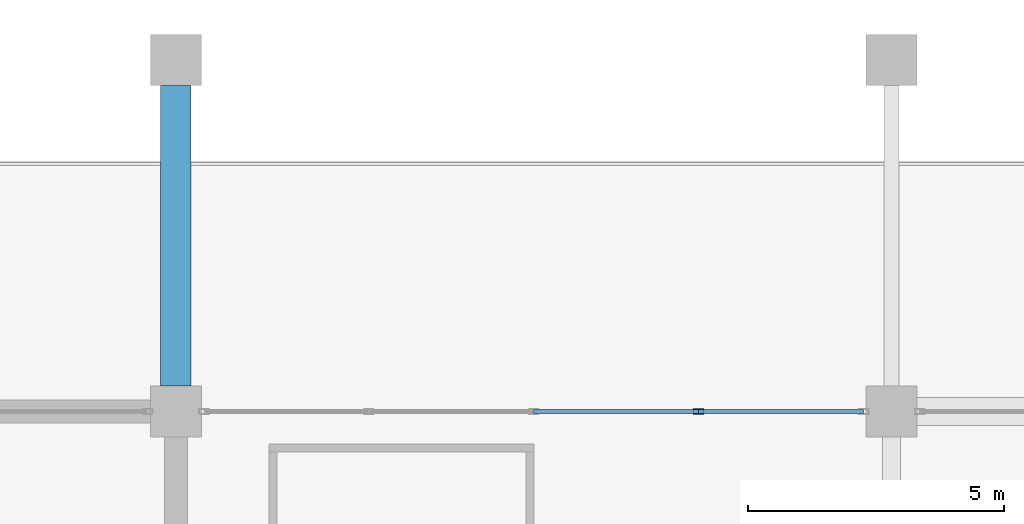
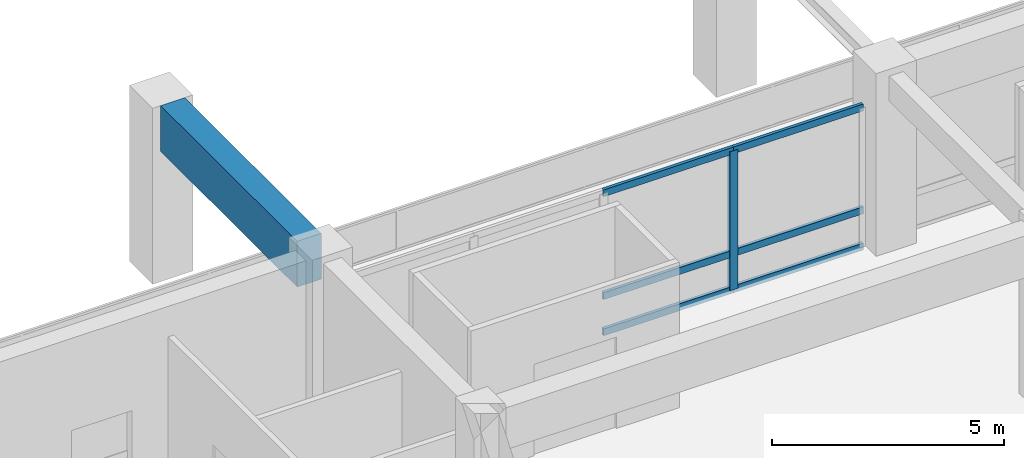
# One storey, part 23 of 91: 7 members, 1 beam, 1 element without a shape of its own.
"""IFC4 building model written with IfcOpenShell, lengths in metres."""

import ifcopenshell
import ifcopenshell.guid

model = None  # the IFC model being written
_history = None  # IfcOwnerHistory: only IFC2X3 demands one
_inside = {}  # id of a spatial element -> (the spatial element, [elements in it])
_under = {}  # id of a project, library or spatial element -> (it, [spatial elements below it])
_declared = {}  # id of a project -> (the project, [libraries it declares])
_typed = {}  # id of a type object -> (the type object, [elements of that type])
_made_of = {}  # id of a material, layer set ... -> (it, [elements and type objects made of it])


def new_model(schema):
    """Start an empty IFC model of exactly this schema.

    Asked for "IFC4X3", IfcOpenShell would pick the latest addendum, in which some entities
    have other attributes; the version numbers below select the first issue.
    IFC2X3 requires an IfcOwnerHistory on every rooted entity: one is made here for all.
    """
    global model, _history
    if schema == "IFC4X3":
        model = ifcopenshell.file(schema_version=(4, 3, 0, 0))
    else:
        model = ifcopenshell.file(schema=schema)
    _inside.clear()
    _under.clear()
    _declared.clear()
    _typed.clear()
    _made_of.clear()
    _history = None
    if model.schema == "IFC2X3":
        org = make("IfcOrganization", Name="unknown")
        user = make(
            "IfcPersonAndOrganization",
            ThePerson=make("IfcPerson", FamilyName="unknown"),
            TheOrganization=org,
        )
        app = make(
            "IfcApplication",
            ApplicationDeveloper=org,
            Version="unknown",
            ApplicationFullName="unknown",
            ApplicationIdentifier="unknown",
        )
        _history = make(
            "IfcOwnerHistory",
            OwningUser=user,
            OwningApplication=app,
            ChangeAction="ADDED",
            CreationDate=0,
        )
    return model


def make(cls, **values):
    """One entity of the class cls with the attributes given. An attribute that is None is left unset."""
    return model.create_entity(
        cls, **{name: value for name, value in values.items() if value is not None}
    )


def rooted(cls, **values):
    """An entity with a GlobalId (a new one), such as an element, a storey or a relation."""
    return make(cls, GlobalId=ifcopenshell.guid.new(), OwnerHistory=_history, **values)


def si_unit(unit_type, name, prefix=None):
    """IfcSIUnit, for example si_unit("LENGTHUNIT", "METRE", prefix="MILLI")."""
    return make("IfcSIUnit", UnitType=unit_type, Prefix=prefix, Name=name)


def assignment(units):
    """IfcUnitAssignment: the units of a project."""
    return None if units is None else make("IfcUnitAssignment", Units=units)


def point(xyz):
    """IfcCartesianPoint."""
    return None if xyz is None else make("IfcCartesianPoint", Coordinates=xyz)


def direction(xyz):
    """IfcDirection."""
    return None if xyz is None else make("IfcDirection", DirectionRatios=xyz)


def frame(location, z_axis=None, x_axis=None):
    """IfcAxis2Placement3D, a coordinate frame: its origin and axes. An axis left out is left unset."""
    return make(
        "IfcAxis2Placement3D",
        Location=point(location),
        Axis=direction(z_axis),
        RefDirection=direction(x_axis),
    )


def frame_2d(location, x_axis=None):
    """IfcAxis2Placement2D, a coordinate frame in the plane: its origin and x axis."""
    return make(
        "IfcAxis2Placement2D", Location=point(location), RefDirection=direction(x_axis)
    )


def origin():
    """The frame at (0, 0, 0) with its axes left unset."""
    return frame((0.0, 0.0, 0.0))


def origin_2d():
    """The frame at (0, 0) in the plane with its x axis left unset."""
    return frame_2d((0.0, 0.0))


def place(relative_to, where):
    """IfcLocalPlacement: puts the frame where relative to a parent placement (None: the world)."""
    return make(
        "IfcLocalPlacement", PlacementRelTo=relative_to, RelativePlacement=where
    )


def context(
    kind, dimensions, precision=None, world=None, true_north=None, identifier=None
):
    """IfcGeometricRepresentationContext, for example the 3D "Model" context."""
    return make(
        "IfcGeometricRepresentationContext",
        ContextIdentifier=identifier,
        ContextType=kind,
        CoordinateSpaceDimension=dimensions,
        Precision=precision,
        WorldCoordinateSystem=world,
        TrueNorth=true_north,
    )


def subcontext(parent, identifier, kind, view, scale=None):
    """IfcGeometricRepresentationSubContext, for example "Body" below "Model"."""
    return make(
        "IfcGeometricRepresentationSubContext",
        ContextIdentifier=identifier,
        ContextType=kind,
        ParentContext=parent,
        TargetScale=scale,
        TargetView=view,
    )


def project(units=None, contexts=None):
    """IfcProject with its units and contexts."""
    return rooted(
        "IfcProject",
        Name="project",
        RepresentationContexts=contexts,
        UnitsInContext=assignment(units),
    )


def spatial(cls, under=None, at=None, **own):
    """A site, building, storey or space (cls), placed at a placement, below another one or the project."""
    s = rooted(cls, ObjectPlacement=at, **own)
    if under is not None:
        _under.setdefault(under.id(), (under, []))[1].append(s)
    return s


def profile(cls, at=None, kind="AREA", **sizes):
    """A parametric profile (cls). Its sizes go by their IFC names, for example OverallWidth=200.0."""
    return make(cls, ProfileType=kind, Position=at, **sizes)


def rectangle(**sizes):
    """IfcRectangleProfileDef."""
    return profile("IfcRectangleProfileDef", **sizes)


def hollow_rectangle(**sizes):
    """IfcRectangleHollowProfileDef."""
    return profile("IfcRectangleHollowProfileDef", **sizes)


def extrude(swept, where, along, depth):
    """IfcExtrudedAreaSolid: the profile swept, set in the frame where, extruded along a direction by depth."""
    return make(
        "IfcExtrudedAreaSolid",
        SweptArea=swept,
        Position=where,
        ExtrudedDirection=direction(along),
        Depth=depth,
    )


def shape(context_of_items, identifier, shape_type, items):
    """IfcShapeRepresentation: the items that make up one representation, for example the "Body"."""
    return make(
        "IfcShapeRepresentation",
        ContextOfItems=context_of_items,
        RepresentationIdentifier=identifier,
        RepresentationType=shape_type,
        Items=items,
    )


def material(Name=None, Category=None):
    """IfcMaterial."""
    return make("IfcMaterial", Name=Name, Category=Category)


def material_profile(
    of_material, cross_section, Name=None, Category=None, Priority=None
):
    """IfcMaterialProfile: a cross section and its material."""
    return make(
        "IfcMaterialProfile",
        Name=Name,
        Material=of_material,
        Profile=cross_section,
        Priority=Priority,
        Category=Category,
    )


def profile_set(profiles, Name=None, composite=None):
    """IfcMaterialProfileSet."""
    return make(
        "IfcMaterialProfileSet",
        Name=Name,
        MaterialProfiles=profiles,
        CompositeProfile=composite,
    )


def made_of(thing, what):
    """Note that an element or type object is made of a material, layer set ...; save() writes the relation."""
    if what is not None:
        _made_of.setdefault(what.id(), (what, []))[1].append(thing)
    return thing


def type_object(cls, material=None, **own):
    """A type object (cls), such as IfcWallType, which elements share."""
    return made_of(rooted(cls, **own), material)


def element(
    cls,
    number,
    at=None,
    inside=None,
    cuts=None,
    type_object=None,
    material=None,
    context=None,
    identifier="Body",
    shape_type=None,
    held_by="IfcProductDefinitionShape",
    body=None,
    shapes=None,
    **own,
):
    """One element of the class cls, such as IfcWall. Its Tag is "e" and its number.

    at: its placement. inside: the storey or other place that contains it. cuts: it is an
    opening in that element (IfcRelVoidsElement). A single representation is given by context,
    identifier, shape_type and body (its items); several are given by shapes. held_by: the class
    of the entity that holds the representations. save() writes the other relations.
    """
    e = rooted(cls, Tag="e%d" % number, ObjectPlacement=at, **own)
    if body is not None:
        shapes = [shape(context, identifier, shape_type, body)]
    if shapes is not None:
        e.Representation = make(held_by, Representations=shapes)
    if inside is not None:
        _inside.setdefault(inside.id(), (inside, []))[1].append(e)
    if cuts is not None:
        rooted(
            "IfcRelVoidsElement", RelatingBuildingElement=cuts, RelatedOpeningElement=e
        )
    if type_object is not None:
        _typed.setdefault(type_object.id(), (type_object, []))[1].append(e)
    return made_of(e, material)


def aggregate(whole, parts):
    """IfcRelAggregates: a whole, such as a stair, and the parts it consists of."""
    return rooted("IfcRelAggregates", RelatingObject=whole, RelatedObjects=parts)


def save(model, path):
    """Write the relations noted so far, then the file.

    IfcRelAggregates (storeys below a building ...), IfcRelContainedInSpatialStructure (elements
    in a storey), IfcRelDefinesByType, IfcRelAssociatesMaterial and IfcRelDeclares: one each for
    every whole, place, type object, material and project.
    """
    for whole, parts in _under.values():
        aggregate(whole, parts)
    for where, things in _inside.values():
        rooted(
            "IfcRelContainedInSpatialStructure",
            RelatedElements=things,
            RelatingStructure=where,
        )
    for kind, things in _typed.values():
        rooted("IfcRelDefinesByType", RelatedObjects=things, RelatingType=kind)
    for what, things in _made_of.values():
        rooted("IfcRelAssociatesMaterial", RelatedObjects=things, RelatingMaterial=what)
    for by, libraries in _declared.values():
        rooted("IfcRelDeclares", RelatingContext=by, RelatedDefinitions=libraries)
    model.write(path)


model = new_model("IFC4")

# Units and contexts
model_context = context("Model", 3, precision=1e-05, world=origin(), true_north=direction((0.0, 1.0)))
body_context = subcontext(model_context, "Body", "Model", "MODEL_VIEW")
ifc_project = project(units=[si_unit("LENGTHUNIT", "METRE"), si_unit("AREAUNIT", "SQUARE_METRE"), si_unit("VOLUMEUNIT", "CUBIC_METRE"), si_unit("PLANEANGLEUNIT", "RADIAN"), si_unit("MASSUNIT", "GRAM", prefix="KILO")], contexts=[model_context])

# Site, building, storey
site_placement = place(None, origin())
site = spatial("IfcSite", under=ifc_project, at=site_placement, CompositionType="ELEMENT")
building_placement = place(site_placement, origin())
building = spatial("IfcBuilding", under=site, at=building_placement, Name="Linyun Crest Stadium", CompositionType="ELEMENT")
storey_placement = place(building_placement, frame((0.0, 0.0, 11.39990234375)))
storey = spatial("IfcBuildingStorey", under=building, at=storey_placement, Name="L03", CompositionType="ELEMENT", Elevation=11.39990234375)

# Curtain wall, member
ifc_material_1 = material(Name="Verdigris steel and low-E curtain wall assembly", Category="steel")
curtain_wall_type = type_object("IfcCurtainWallType", Name="MCW02", PredefinedType="NOTDEFINED", material=ifc_material_1)
curtain_wall_placement = place(storey_placement, origin())
curtain_wall = element("IfcCurtainWall", 1, at=curtain_wall_placement, inside=storey, type_object=curtain_wall_type, Name="CWR-139", PredefinedType="NOTDEFINED")
ifc_material_2 = material(Name="Verdigris painted steel Q355C mullion", Category="steel")
ifc_material_profile_1 = material_profile(ifc_material_2, hollow_rectangle(XDim=0.10009765625, YDim=0.199951171875, WallThickness=0.008056640625, at=origin_2d()), Name="RHS 200x100x8")
ifc_profile_set_1 = profile_set([ifc_material_profile_1], Name="Verdigris painted steel Q355C mullion")
member_type_1 = type_object("IfcMemberType", Name="ML03", PredefinedType="MULLION", material=ifc_profile_set_1)
member_1_placement = place(storey_placement, frame((-3.77490234375, -73.5, 0.0), z_axis=(0.0, 0.0, 1.0), x_axis=(0.0, 1.0, 0.0)))
member_1 = element("IfcMember", 2, at=member_1_placement, type_object=member_type_1, Name="CWR-139 mullion 4", PredefinedType="MULLION", context=body_context, shape_type="SweptSolid", body=[
    extrude(hollow_rectangle(XDim=0.10009765625, YDim=0.199951171875, WallThickness=0.008056640625, at=origin_2d()), origin(), (0.0, 0.0, 1.0), 3.650146484375),
])

# Beam
ifc_material_3 = material(Name="Concrete C50", Category="concrete")
ifc_material_profile_2 = material_profile(ifc_material_3, rectangle(XDim=0.60009765625, YDim=1.199951171875, at=origin_2d()), Name="RCB 1200x600")
ifc_profile_set_2 = profile_set([ifc_material_profile_2], Name="Concrete C50")
beam_type = type_object("IfcBeamType", Name="TB02", PredefinedType="USERDEFINED", material=ifc_profile_set_2)
beam_placement = place(storey_placement, frame((-14.0, -73.0, 4.02001953125), z_axis=(0.0, 1.0, 0.0), x_axis=(-1.0, 0.0, 0.0)))
element("IfcBeam", 3, at=beam_placement, inside=storey, type_object=beam_type, Name="Frame beam TB02 L03 934", ObjectType="GIRDER", PredefinedType="USERDEFINED", context=body_context, shape_type="SweptSolid", body=[
    extrude(rectangle(XDim=0.60009765625, YDim=1.199951171875, at=origin_2d()), origin(), (0.0, 0.0, 1.0), 5.875),
])

# Member
ifc_material_4 = material(Name="Verdigris painted steel Q355B transom", Category="steel")
ifc_material_profile_3 = material_profile(ifc_material_4, hollow_rectangle(XDim=0.080078125, YDim=0.179931640625, WallThickness=0.006103515625, at=origin_2d()), Name="RHS 180x80x6")
ifc_profile_set_3 = profile_set([ifc_material_profile_3], Name="Verdigris painted steel Q355B transom")
member_type_2 = type_object("IfcMemberType", Name="TR02", PredefinedType="USERDEFINED", material=ifc_profile_set_3)
member_2_placement = place(storey_placement, frame((-7.0, -73.5, 0.0), z_axis=(1.0, 0.0, 0.0), x_axis=(0.0, 1.0, 0.0)))
member_2 = element("IfcMember", 4, at=member_2_placement, type_object=member_type_2, Name="CWR-139 transom 3.1", ObjectType="TRANSOM", PredefinedType="USERDEFINED", context=body_context, shape_type="SweptSolid", body=[
    extrude(hollow_rectangle(XDim=0.080078125, YDim=0.179931640625, WallThickness=0.006103515625, at=origin_2d()), origin(), (0.0, 0.0, 1.0), 3.22509765625),
])

member_3_placement = place(storey_placement, frame((-7.0, -73.5, 0.9501953125), z_axis=(1.0, 0.0, 0.0), x_axis=(0.0, 1.0, 0.0)))
member_3 = element("IfcMember", 5, at=member_3_placement, type_object=member_type_2, Name="CWR-139 transom 3.2", ObjectType="TRANSOM", PredefinedType="USERDEFINED", context=body_context, shape_type="SweptSolid", body=[
    extrude(hollow_rectangle(XDim=0.080078125, YDim=0.179931640625, WallThickness=0.006103515625, at=origin_2d()), origin(), (0.0, 0.0, 1.0), 3.22509765625),
])

member_4_placement = place(storey_placement, frame((-7.0, -73.5, 3.650146484375), z_axis=(1.0, 0.0, 0.0), x_axis=(0.0, 1.0, 0.0)))
member_4 = element("IfcMember", 6, at=member_4_placement, type_object=member_type_2, Name="CWR-139 transom 3.3", ObjectType="TRANSOM", PredefinedType="USERDEFINED", context=body_context, shape_type="SweptSolid", body=[
    extrude(hollow_rectangle(XDim=0.080078125, YDim=0.179931640625, WallThickness=0.006103515625, at=origin_2d()), origin(), (0.0, 0.0, 1.0), 3.22509765625),
])

member_5_placement = place(storey_placement, frame((-3.77490234375, -73.5, 0.0), z_axis=(1.0, 0.0, 0.0), x_axis=(0.0, 1.0, 0.0)))
member_5 = element("IfcMember", 7, at=member_5_placement, type_object=member_type_2, Name="CWR-139 transom 4.1", ObjectType="TRANSOM", PredefinedType="USERDEFINED", context=body_context, shape_type="SweptSolid", body=[
    extrude(hollow_rectangle(XDim=0.080078125, YDim=0.179931640625, WallThickness=0.006103515625, at=origin_2d()), origin(), (0.0, 0.0, 1.0), 3.224853515625),
])

member_6_placement = place(storey_placement, frame((-3.77490234375, -73.5, 0.9501953125), z_axis=(1.0, 0.0, 0.0), x_axis=(0.0, 1.0, 0.0)))
member_6 = element("IfcMember", 8, at=member_6_placement, type_object=member_type_2, Name="CWR-139 transom 4.2", ObjectType="TRANSOM", PredefinedType="USERDEFINED", context=body_context, shape_type="SweptSolid", body=[
    extrude(hollow_rectangle(XDim=0.080078125, YDim=0.179931640625, WallThickness=0.006103515625, at=origin_2d()), origin(), (0.0, 0.0, 1.0), 3.224853515625),
])

member_7_placement = place(storey_placement, frame((-3.77490234375, -73.5, 3.650146484375), z_axis=(1.0, 0.0, 0.0), x_axis=(0.0, 1.0, 0.0)))
member_7 = element("IfcMember", 9, at=member_7_placement, type_object=member_type_2, Name="CWR-139 transom 4.3", ObjectType="TRANSOM", PredefinedType="USERDEFINED", context=body_context, shape_type="SweptSolid", body=[
    extrude(hollow_rectangle(XDim=0.080078125, YDim=0.179931640625, WallThickness=0.006103515625, at=origin_2d()), origin(), (0.0, 0.0, 1.0), 3.224853515625),
])

aggregate(curtain_wall, [member_1, member_2, member_3, member_4, member_5, member_6, member_7])

save(model, "model.ifc")
